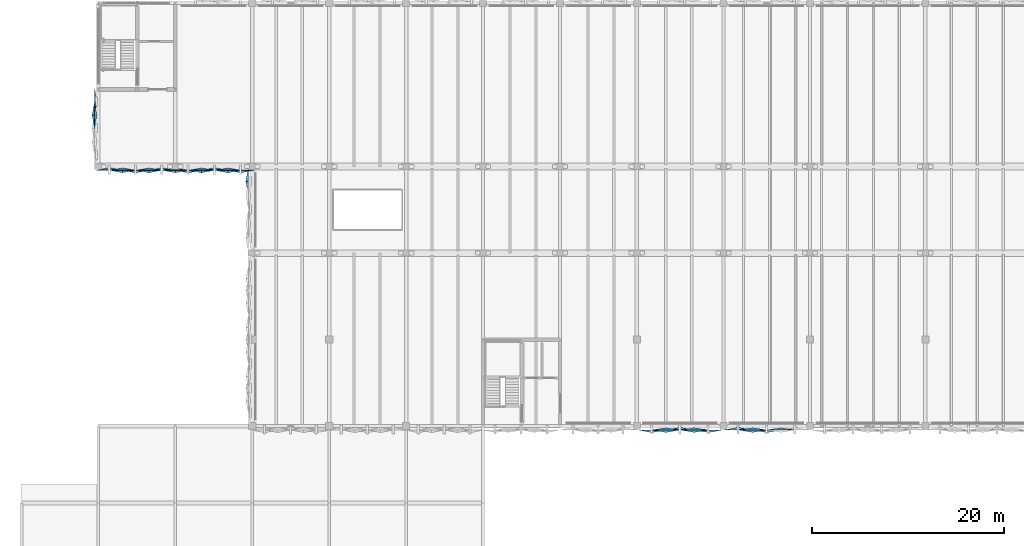
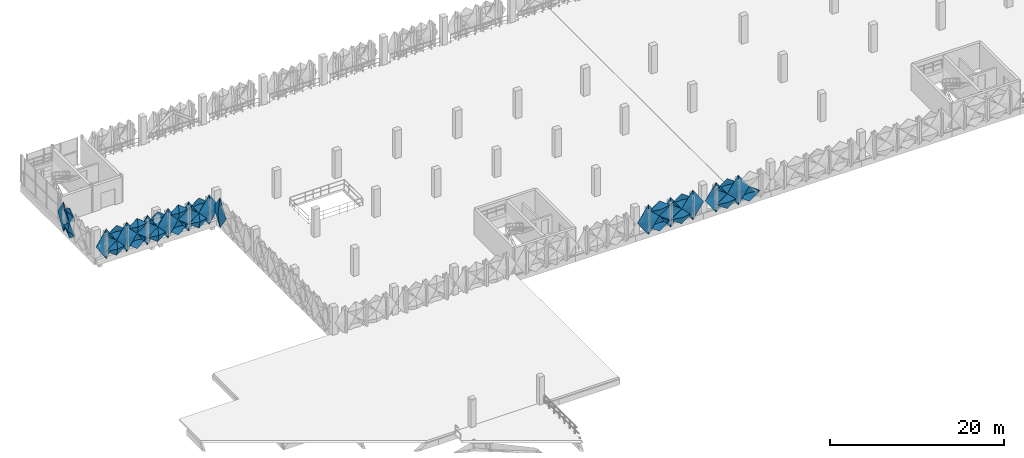
# One storey, part 54 of 76: 32 plates.
"""IFC4 building model written with IfcOpenShell, lengths in metres."""

from ifc_helpers import new_model, si_unit, derived_unit, direction, frame, origin, place, context, subcontext, project, spatial, polygons, material, layer, layer_set, type_object, element, save


model = new_model("IFC4")

# Units and contexts
model_context = context("Model", 3, precision=1e-05, world=origin(), true_north=direction((0.0, 1.0)))
body_context = subcontext(model_context, "Body", "Model", "MODEL_VIEW")
ifc_project = project(units=[si_unit("LENGTHUNIT", "METRE"), si_unit("AREAUNIT", "SQUARE_METRE"), si_unit("VOLUMEUNIT", "CUBIC_METRE"), si_unit("PLANEANGLEUNIT", "RADIAN"), si_unit("MASSUNIT", "GRAM", prefix="KILO"), si_unit("THERMODYNAMICTEMPERATUREUNIT", "KELVIN"), derived_unit("THERMALTRANSMITTANCEUNIT", [(si_unit("POWERUNIT", "WATT"), 1), (si_unit("AREAUNIT", "SQUARE_METRE"), -1), (si_unit("THERMODYNAMICTEMPERATUREUNIT", "KELVIN"), -1)])], contexts=[model_context])

# Site, building, storey
site_placement = place(None, origin())
site = spatial("IfcSite", under=ifc_project, at=site_placement, CompositionType="ELEMENT")
building_placement = place(site_placement, origin())
building = spatial("IfcBuilding", under=site, at=building_placement, Name="Haiyu Intermodal Mobility Hub", CompositionType="ELEMENT")
storey_placement = place(building_placement, frame((0.0, 0.0, 17.300048828125)))
storey = spatial("IfcBuildingStorey", under=building, at=storey_placement, Name="L04", CompositionType="ELEMENT", Elevation=17.300048828125)

# Plates
ifc_material = material(Name="Anodised aluminium 6063-T6", Category="aluminium")
ifc_layer_1 = layer(ifc_material, 0.01806640625)
ifc_layer_set_1 = layer_set([ifc_layer_1], Name="Anodised aluminium 6063-T6")
plate_type_1 = type_object("IfcPlateType", Name="PLT-FC01", PredefinedType="USERDEFINED", material=ifc_layer_set_1)
plate_1_placement = place(storey_placement, origin())
element("IfcPlate", 1, at=plate_1_placement, inside=storey, type_object=plate_type_1, Name="PLT-PYR-0637", ObjectType="FACADE CASSETTE", PredefinedType="USERDEFINED", context=body_context, shape_type="Tessellation", body=[
    polygons([(37.60009765625, 129.447021484375, -0.510009765625), (37.60009765625, 127.992919921875, 1.599853515625), (37.60009765625, 129.447021484375, 3.7099609375), (37.60009765625, 130.89990234375, 1.599853515625), (37.320068359375, 129.447021484375, 1.599853515625), (37.6220703125, 129.447021484375, -0.510009765625), (37.6220703125, 127.992919921875, 1.599853515625), (37.6220703125, 129.447021484375, 3.7099609375), (37.6220703125, 130.89990234375, 1.599853515625), (37.342041015625, 129.447021484375, 1.599853515625)], [[[1, 2, 5]], [[2, 3, 5]], [[3, 4, 5]], [[4, 1, 5]], [[7, 6, 10]], [[8, 7, 10]], [[9, 8, 10]], [[6, 9, 10]], [[1, 6, 7, 2]], [[2, 7, 8, 3]], [[3, 8, 9, 4]], [[4, 9, 6, 1]]], closed=True),
])
plate_2_placement = place(storey_placement, origin())
element("IfcPlate", 2, at=plate_2_placement, inside=storey, type_object=plate_type_1, Name="PLT-PYR-0803", ObjectType="FACADE CASSETTE", PredefinedType="USERDEFINED", context=body_context, shape_type="Tessellation", body=[
    polygons([(79.552978515625, 103.60009765625, -0.510009765625), (81.007080078125, 103.60009765625, 1.599853515625), (79.552978515625, 103.60009765625, 3.7099609375), (78.10009765625, 103.60009765625, 1.599853515625), (79.552978515625, 103.320068359375, 1.599853515625), (79.552978515625, 103.6220703125, -0.510009765625), (81.007080078125, 103.6220703125, 1.599853515625), (79.552978515625, 103.6220703125, 3.7099609375), (78.10009765625, 103.6220703125, 1.599853515625), (79.552978515625, 103.342041015625, 1.599853515625)], [[[1, 2, 5]], [[2, 3, 5]], [[3, 4, 5]], [[4, 1, 5]], [[7, 6, 10]], [[8, 7, 10]], [[9, 8, 10]], [[6, 9, 10]], [[1, 6, 7, 2]], [[2, 7, 8, 3]], [[3, 8, 9, 4]], [[4, 9, 6, 1]]], closed=True),
])
plate_3_placement = place(storey_placement, origin())
element("IfcPlate", 3, at=plate_3_placement, inside=storey, type_object=plate_type_1, Name="PLT-PYR-0807", ObjectType="FACADE CASSETTE", PredefinedType="USERDEFINED", context=body_context, shape_type="Tessellation", body=[
    polygons([(83.972900390625, 103.60009765625, -0.52001953125), (85.427001953125, 103.60009765625, 0.530029296875), (83.972900390625, 103.60009765625, 1.579833984375), (82.52001953125, 103.60009765625, 0.530029296875), (83.972900390625, 103.340087890625, 0.530029296875), (83.972900390625, 103.6220703125, -0.52001953125), (85.427001953125, 103.6220703125, 0.530029296875), (83.972900390625, 103.6220703125, 1.579833984375), (82.52001953125, 103.6220703125, 0.530029296875), (83.972900390625, 103.362060546875, 0.530029296875)], [[[1, 2, 5]], [[2, 3, 5]], [[3, 4, 5]], [[4, 1, 5]], [[7, 6, 10]], [[8, 7, 10]], [[9, 8, 10]], [[6, 9, 10]], [[1, 6, 7, 2]], [[2, 7, 8, 3]], [[3, 8, 9, 4]], [[4, 9, 6, 1]]], closed=True),
])
plate_4_placement = place(storey_placement, origin())
element("IfcPlate", 4, at=plate_4_placement, inside=storey, type_object=plate_type_1, Name="PLT-PYR-0832", ObjectType="FACADE CASSETTE", PredefinedType="USERDEFINED", context=body_context, shape_type="Tessellation", body=[
    polygons([(90.027099609375, 103.60009765625, -0.52001953125), (91.47998046875, 103.60009765625, 0.530029296875), (90.027099609375, 103.60009765625, 1.579833984375), (88.572998046875, 103.60009765625, 0.530029296875), (90.027099609375, 103.340087890625, 0.530029296875), (90.027099609375, 103.6220703125, -0.52001953125), (91.47998046875, 103.6220703125, 0.530029296875), (90.027099609375, 103.6220703125, 1.579833984375), (88.572998046875, 103.6220703125, 0.530029296875), (90.027099609375, 103.362060546875, 0.530029296875)], [[[1, 2, 5]], [[2, 3, 5]], [[3, 4, 5]], [[4, 1, 5]], [[7, 6, 10]], [[8, 7, 10]], [[9, 8, 10]], [[6, 9, 10]], [[1, 6, 7, 2]], [[2, 7, 8, 3]], [[3, 8, 9, 4]], [[4, 9, 6, 1]]], closed=True),
])
plate_5_placement = place(storey_placement, origin())
element("IfcPlate", 5, at=plate_5_placement, inside=storey, type_object=plate_type_1, Name="PLT-PYR-2310", ObjectType="FACADE CASSETTE", PredefinedType="USERDEFINED", context=body_context, shape_type="Tessellation", body=[
    polygons([(21.60009765625, 136.3330078125, -0.52001953125), (21.60009765625, 134.969970703125, 0.530029296875), (21.60009765625, 136.3330078125, 1.579833984375), (21.60009765625, 137.697021484375, 0.530029296875), (21.340087890625, 136.3330078125, 0.530029296875), (21.6220703125, 136.3330078125, -0.52001953125), (21.6220703125, 134.969970703125, 0.530029296875), (21.6220703125, 136.3330078125, 1.579833984375), (21.6220703125, 137.697021484375, 0.530029296875), (21.362060546875, 136.3330078125, 0.530029296875)], [[[1, 2, 5]], [[2, 3, 5]], [[3, 4, 5]], [[4, 1, 5]], [[7, 6, 10]], [[8, 7, 10]], [[9, 8, 10]], [[6, 9, 10]], [[1, 6, 7, 2]], [[2, 7, 8, 3]], [[3, 8, 9, 4]], [[4, 9, 6, 1]]], closed=True),
])
plate_6_placement = place(storey_placement, origin())
element("IfcPlate", 6, at=plate_6_placement, inside=storey, type_object=plate_type_1, Name="PLT-PYR-2388", ObjectType="FACADE CASSETTE", PredefinedType="USERDEFINED", context=body_context, shape_type="Tessellation", body=[
    polygons([(24.532958984375, 130.60009765625, -0.52001953125), (25.8798828125, 130.60009765625, 0.530029296875), (24.532958984375, 130.60009765625, 1.579833984375), (23.18701171875, 130.60009765625, 0.530029296875), (24.532958984375, 130.340087890625, 0.530029296875), (24.532958984375, 130.6220703125, -0.52001953125), (25.8798828125, 130.6220703125, 0.530029296875), (24.532958984375, 130.6220703125, 1.579833984375), (23.18701171875, 130.6220703125, 0.530029296875), (24.532958984375, 130.362060546875, 0.530029296875)], [[[1, 2, 5]], [[2, 3, 5]], [[3, 4, 5]], [[4, 1, 5]], [[7, 6, 10]], [[8, 7, 10]], [[9, 8, 10]], [[6, 9, 10]], [[1, 6, 7, 2]], [[2, 7, 8, 3]], [[3, 8, 9, 4]], [[4, 9, 6, 1]]], closed=True),
])
plate_7_placement = place(storey_placement, origin())
element("IfcPlate", 7, at=plate_7_placement, inside=storey, type_object=plate_type_1, Name="PLT-PYR-2394", ObjectType="FACADE CASSETTE", PredefinedType="USERDEFINED", context=body_context, shape_type="Tessellation", body=[
    polygons([(30.0, 130.60009765625, -0.52001953125), (31.346923828125, 130.60009765625, 0.530029296875), (30.0, 130.60009765625, 1.579833984375), (28.653076171875, 130.60009765625, 0.530029296875), (30.0, 130.340087890625, 0.530029296875), (30.0, 130.6220703125, -0.52001953125), (31.346923828125, 130.6220703125, 0.530029296875), (30.0, 130.6220703125, 1.579833984375), (28.653076171875, 130.6220703125, 0.530029296875), (30.0, 130.362060546875, 0.530029296875)], [[[1, 2, 5]], [[2, 3, 5]], [[3, 4, 5]], [[4, 1, 5]], [[7, 6, 10]], [[8, 7, 10]], [[9, 8, 10]], [[6, 9, 10]], [[1, 6, 7, 2]], [[2, 7, 8, 3]], [[3, 8, 9, 4]], [[4, 9, 6, 1]]], closed=True),
])
plate_8_placement = place(storey_placement, origin())
element("IfcPlate", 8, at=plate_8_placement, inside=storey, type_object=plate_type_1, Name="PLT-PYR-2400", ObjectType="FACADE CASSETTE", PredefinedType="USERDEFINED", context=body_context, shape_type="Tessellation", body=[
    polygons([(35.467041015625, 130.60009765625, -0.52001953125), (36.81298828125, 130.60009765625, 0.530029296875), (35.467041015625, 130.60009765625, 1.579833984375), (34.1201171875, 130.60009765625, 0.530029296875), (35.467041015625, 130.340087890625, 0.530029296875), (35.467041015625, 130.6220703125, -0.52001953125), (36.81298828125, 130.6220703125, 0.530029296875), (35.467041015625, 130.6220703125, 1.579833984375), (34.1201171875, 130.6220703125, 0.530029296875), (35.467041015625, 130.362060546875, 0.530029296875)], [[[1, 2, 5]], [[2, 3, 5]], [[3, 4, 5]], [[4, 1, 5]], [[7, 6, 10]], [[8, 7, 10]], [[9, 8, 10]], [[6, 9, 10]], [[1, 6, 7, 2]], [[2, 7, 8, 3]], [[3, 8, 9, 4]], [[4, 9, 6, 1]]], closed=True),
])
ifc_layer_2 = layer(ifc_material, 0.02001953125)
ifc_layer_set_2 = layer_set([ifc_layer_2], Name="Anodised aluminium 6063-T6")
plate_type_2 = type_object("IfcPlateType", Name="PLT-FC02", PredefinedType="USERDEFINED", material=ifc_layer_set_2)
plate_9_placement = place(storey_placement, origin())
element("IfcPlate", 9, at=plate_9_placement, inside=storey, type_object=plate_type_2, Name="PLT-PYR-0804", ObjectType="FACADE CASSETTE", PredefinedType="USERDEFINED", context=body_context, shape_type="Tessellation", body=[
    polygons([(81.027099609375, 103.60009765625, -0.52001953125), (82.47998046875, 103.60009765625, 0.530029296875), (81.027099609375, 103.60009765625, 1.579833984375), (79.572998046875, 103.60009765625, 0.530029296875), (81.027099609375, 103.820068359375, 0.530029296875), (81.027099609375, 103.6220703125, -0.52001953125), (82.47998046875, 103.6220703125, 0.530029296875), (81.027099609375, 103.6220703125, 1.579833984375), (79.572998046875, 103.6220703125, 0.530029296875), (81.027099609375, 103.842041015625, 0.530029296875)], [[[1, 2, 5]], [[2, 3, 5]], [[3, 4, 5]], [[4, 1, 5]], [[7, 6, 10]], [[8, 7, 10]], [[9, 8, 10]], [[6, 9, 10]], [[1, 6, 7, 2]], [[2, 7, 8, 3]], [[3, 8, 9, 4]], [[4, 9, 6, 1]]], closed=True),
])
plate_10_placement = place(storey_placement, origin())
element("IfcPlate", 10, at=plate_10_placement, inside=storey, type_object=plate_type_2, Name="PLT-PYR-0831", ObjectType="FACADE CASSETTE", PredefinedType="USERDEFINED", context=body_context, shape_type="Tessellation", body=[
    polygons([(88.552978515625, 103.60009765625, -0.510009765625), (90.007080078125, 103.60009765625, 1.599853515625), (88.552978515625, 103.60009765625, 3.7099609375), (87.10009765625, 103.60009765625, 1.599853515625), (88.552978515625, 103.860107421875, 1.599853515625), (88.552978515625, 103.6220703125, -0.510009765625), (90.007080078125, 103.6220703125, 1.599853515625), (88.552978515625, 103.6220703125, 3.7099609375), (87.10009765625, 103.6220703125, 1.599853515625), (88.552978515625, 103.882080078125, 1.599853515625)], [[[1, 2, 5]], [[2, 3, 5]], [[3, 4, 5]], [[4, 1, 5]], [[7, 6, 10]], [[8, 7, 10]], [[9, 8, 10]], [[6, 9, 10]], [[1, 6, 7, 2]], [[2, 7, 8, 3]], [[3, 8, 9, 4]], [[4, 9, 6, 1]]], closed=True),
])
plate_11_placement = place(storey_placement, origin())
element("IfcPlate", 11, at=plate_11_placement, inside=storey, type_object=plate_type_2, Name="PLT-PYR-0835", ObjectType="FACADE CASSETTE", PredefinedType="USERDEFINED", context=body_context, shape_type="Tessellation", body=[
    polygons([(92.972900390625, 103.60009765625, -0.52001953125), (94.427001953125, 103.60009765625, 0.530029296875), (92.972900390625, 103.60009765625, 1.579833984375), (91.52001953125, 103.60009765625, 0.530029296875), (92.972900390625, 103.820068359375, 0.530029296875), (92.972900390625, 103.6220703125, -0.52001953125), (94.427001953125, 103.6220703125, 0.530029296875), (92.972900390625, 103.6220703125, 1.579833984375), (91.52001953125, 103.6220703125, 0.530029296875), (92.972900390625, 103.842041015625, 0.530029296875)], [[[1, 2, 5]], [[2, 3, 5]], [[3, 4, 5]], [[4, 1, 5]], [[7, 6, 10]], [[8, 7, 10]], [[9, 8, 10]], [[6, 9, 10]], [[1, 6, 7, 2]], [[2, 7, 8, 3]], [[3, 8, 9, 4]], [[4, 9, 6, 1]]], closed=True),
])
plate_12_placement = place(storey_placement, origin())
element("IfcPlate", 12, at=plate_12_placement, inside=storey, type_object=plate_type_2, Name="PLT-PYR-2309", ObjectType="FACADE CASSETTE", PredefinedType="USERDEFINED", context=body_context, shape_type="Tessellation", body=[
    polygons([(21.60009765625, 137.717041015625, -0.510009765625), (21.60009765625, 136.35302734375, 1.599853515625), (21.60009765625, 137.717041015625, 3.7099609375), (21.60009765625, 139.080078125, 1.599853515625), (21.860107421875, 137.717041015625, 1.599853515625), (21.6220703125, 137.717041015625, -0.510009765625), (21.6220703125, 136.35302734375, 1.599853515625), (21.6220703125, 137.717041015625, 3.7099609375), (21.6220703125, 139.080078125, 1.599853515625), (21.882080078125, 137.717041015625, 1.599853515625)], [[[1, 2, 5]], [[2, 3, 5]], [[3, 4, 5]], [[4, 1, 5]], [[7, 6, 10]], [[8, 7, 10]], [[9, 8, 10]], [[6, 9, 10]], [[1, 6, 7, 2]], [[2, 7, 8, 3]], [[3, 8, 9, 4]], [[4, 9, 6, 1]]], closed=True),
])
plate_13_placement = place(storey_placement, origin())
element("IfcPlate", 13, at=plate_13_placement, inside=storey, type_object=plate_type_2, Name="PLT-PYR-2387", ObjectType="FACADE CASSETTE", PredefinedType="USERDEFINED", context=body_context, shape_type="Tessellation", body=[
    polygons([(23.1669921875, 130.60009765625, -0.510009765625), (24.512939453125, 130.60009765625, 1.599853515625), (23.1669921875, 130.60009765625, 3.7099609375), (21.820068359375, 130.60009765625, 1.599853515625), (23.1669921875, 130.860107421875, 1.599853515625), (23.1669921875, 130.6220703125, -0.510009765625), (24.512939453125, 130.6220703125, 1.599853515625), (23.1669921875, 130.6220703125, 3.7099609375), (21.820068359375, 130.6220703125, 1.599853515625), (23.1669921875, 130.882080078125, 1.599853515625)], [[[1, 2, 5]], [[2, 3, 5]], [[3, 4, 5]], [[4, 1, 5]], [[7, 6, 10]], [[8, 7, 10]], [[9, 8, 10]], [[6, 9, 10]], [[1, 6, 7, 2]], [[2, 7, 8, 3]], [[3, 8, 9, 4]], [[4, 9, 6, 1]]], closed=True),
])
plate_14_placement = place(storey_placement, origin())
element("IfcPlate", 14, at=plate_14_placement, inside=storey, type_object=plate_type_2, Name="PLT-PYR-2391", ObjectType="FACADE CASSETTE", PredefinedType="USERDEFINED", context=body_context, shape_type="Tessellation", body=[
    polygons([(27.26708984375, 130.60009765625, -0.52001953125), (28.613037109375, 130.60009765625, 0.530029296875), (27.26708984375, 130.60009765625, 1.579833984375), (25.919921875, 130.60009765625, 0.530029296875), (27.26708984375, 130.820068359375, 0.530029296875), (27.26708984375, 130.6220703125, -0.52001953125), (28.613037109375, 130.6220703125, 0.530029296875), (27.26708984375, 130.6220703125, 1.579833984375), (25.919921875, 130.6220703125, 0.530029296875), (27.26708984375, 130.842041015625, 0.530029296875)], [[[1, 2, 5]], [[2, 3, 5]], [[3, 4, 5]], [[4, 1, 5]], [[7, 6, 10]], [[8, 7, 10]], [[9, 8, 10]], [[6, 9, 10]], [[1, 6, 7, 2]], [[2, 7, 8, 3]], [[3, 8, 9, 4]], [[4, 9, 6, 1]]], closed=True),
])
plate_15_placement = place(storey_placement, origin())
element("IfcPlate", 15, at=plate_15_placement, inside=storey, type_object=plate_type_2, Name="PLT-PYR-2397", ObjectType="FACADE CASSETTE", PredefinedType="USERDEFINED", context=body_context, shape_type="Tessellation", body=[
    polygons([(32.73291015625, 130.60009765625, -0.52001953125), (34.080078125, 130.60009765625, 0.530029296875), (32.73291015625, 130.60009765625, 1.579833984375), (31.386962890625, 130.60009765625, 0.530029296875), (32.73291015625, 130.820068359375, 0.530029296875), (32.73291015625, 130.6220703125, -0.52001953125), (34.080078125, 130.6220703125, 0.530029296875), (32.73291015625, 130.6220703125, 1.579833984375), (31.386962890625, 130.6220703125, 0.530029296875), (32.73291015625, 130.842041015625, 0.530029296875)], [[[1, 2, 5]], [[2, 3, 5]], [[3, 4, 5]], [[4, 1, 5]], [[7, 6, 10]], [[8, 7, 10]], [[9, 8, 10]], [[6, 9, 10]], [[1, 6, 7, 2]], [[2, 7, 8, 3]], [[3, 8, 9, 4]], [[4, 9, 6, 1]]], closed=True),
])
plate_16_placement = place(storey_placement, origin())
element("IfcPlate", 16, at=plate_16_placement, inside=storey, type_object=plate_type_2, Name="PLT-PYR-2399", ObjectType="FACADE CASSETTE", PredefinedType="USERDEFINED", context=body_context, shape_type="Tessellation", body=[
    polygons([(34.10009765625, 130.60009765625, -0.510009765625), (35.447021484375, 130.60009765625, 1.599853515625), (34.10009765625, 130.60009765625, 3.7099609375), (32.7529296875, 130.60009765625, 1.599853515625), (34.10009765625, 130.860107421875, 1.599853515625), (34.10009765625, 130.6220703125, -0.510009765625), (35.447021484375, 130.6220703125, 1.599853515625), (34.10009765625, 130.6220703125, 3.7099609375), (32.7529296875, 130.6220703125, 1.599853515625), (34.10009765625, 130.882080078125, 1.599853515625)], [[[1, 2, 5]], [[2, 3, 5]], [[3, 4, 5]], [[4, 1, 5]], [[7, 6, 10]], [[8, 7, 10]], [[9, 8, 10]], [[6, 9, 10]], [[1, 6, 7, 2]], [[2, 7, 8, 3]], [[3, 8, 9, 4]], [[4, 9, 6, 1]]], closed=True),
])
ifc_layer_3 = layer(ifc_material, 0.01806640625)
ifc_layer_set_3 = layer_set([ifc_layer_3], Name="Anodised aluminium 6063-T6")
plate_type_3 = type_object("IfcPlateType", Name="PLT-FC03", PredefinedType="USERDEFINED", material=ifc_layer_set_3)
plate_17_placement = place(storey_placement, origin())
element("IfcPlate", 17, at=plate_17_placement, inside=storey, type_object=plate_type_3, Name="PLT-PYR-0805", ObjectType="FACADE CASSETTE", PredefinedType="USERDEFINED", context=body_context, shape_type="Tessellation", body=[
    polygons([(81.027099609375, 103.60009765625, 1.619873046875), (82.47998046875, 103.60009765625, 2.669921875), (81.027099609375, 103.60009765625, 3.719970703125), (79.572998046875, 103.60009765625, 2.669921875), (81.027099609375, 103.340087890625, 2.669921875), (81.027099609375, 103.6220703125, 1.619873046875), (82.47998046875, 103.6220703125, 2.669921875), (81.027099609375, 103.6220703125, 3.719970703125), (79.572998046875, 103.6220703125, 2.669921875), (81.027099609375, 103.362060546875, 2.669921875)], [[[1, 2, 5]], [[2, 3, 5]], [[3, 4, 5]], [[4, 1, 5]], [[7, 6, 10]], [[8, 7, 10]], [[9, 8, 10]], [[6, 9, 10]], [[1, 6, 7, 2]], [[2, 7, 8, 3]], [[3, 8, 9, 4]], [[4, 9, 6, 1]]], closed=True),
])
plate_18_placement = place(storey_placement, origin())
element("IfcPlate", 18, at=plate_18_placement, inside=storey, type_object=plate_type_3, Name="PLT-PYR-0834", ObjectType="FACADE CASSETTE", PredefinedType="USERDEFINED", context=body_context, shape_type="Tessellation", body=[
    polygons([(91.5, 103.60009765625, -0.510009765625), (92.952880859375, 103.60009765625, 1.599853515625), (91.5, 103.60009765625, 3.7099609375), (90.047119140625, 103.60009765625, 1.599853515625), (91.5, 103.320068359375, 1.599853515625), (91.5, 103.6220703125, -0.510009765625), (92.952880859375, 103.6220703125, 1.599853515625), (91.5, 103.6220703125, 3.7099609375), (90.047119140625, 103.6220703125, 1.599853515625), (91.5, 103.342041015625, 1.599853515625)], [[[1, 2, 5]], [[2, 3, 5]], [[3, 4, 5]], [[4, 1, 5]], [[7, 6, 10]], [[8, 7, 10]], [[9, 8, 10]], [[6, 9, 10]], [[1, 6, 7, 2]], [[2, 7, 8, 3]], [[3, 8, 9, 4]], [[4, 9, 6, 1]]], closed=True),
])
plate_19_placement = place(storey_placement, origin())
element("IfcPlate", 19, at=plate_19_placement, inside=storey, type_object=plate_type_3, Name="PLT-PYR-2390", ObjectType="FACADE CASSETTE", PredefinedType="USERDEFINED", context=body_context, shape_type="Tessellation", body=[
    polygons([(25.89990234375, 130.60009765625, -0.510009765625), (27.2470703125, 130.60009765625, 1.599853515625), (25.89990234375, 130.60009765625, 3.7099609375), (24.552978515625, 130.60009765625, 1.599853515625), (25.89990234375, 130.320068359375, 1.599853515625), (25.89990234375, 130.6220703125, -0.510009765625), (27.2470703125, 130.6220703125, 1.599853515625), (25.89990234375, 130.6220703125, 3.7099609375), (24.552978515625, 130.6220703125, 1.599853515625), (25.89990234375, 130.342041015625, 1.599853515625)], [[[1, 2, 5]], [[2, 3, 5]], [[3, 4, 5]], [[4, 1, 5]], [[7, 6, 10]], [[8, 7, 10]], [[9, 8, 10]], [[6, 9, 10]], [[1, 6, 7, 2]], [[2, 7, 8, 3]], [[3, 8, 9, 4]], [[4, 9, 6, 1]]], closed=True),
])
plate_20_placement = place(storey_placement, origin())
element("IfcPlate", 20, at=plate_20_placement, inside=storey, type_object=plate_type_3, Name="PLT-PYR-2392", ObjectType="FACADE CASSETTE", PredefinedType="USERDEFINED", context=body_context, shape_type="Tessellation", body=[
    polygons([(27.26708984375, 130.60009765625, 1.619873046875), (28.613037109375, 130.60009765625, 2.669921875), (27.26708984375, 130.60009765625, 3.719970703125), (25.919921875, 130.60009765625, 2.669921875), (27.26708984375, 130.340087890625, 2.669921875), (27.26708984375, 130.6220703125, 1.619873046875), (28.613037109375, 130.6220703125, 2.669921875), (27.26708984375, 130.6220703125, 3.719970703125), (25.919921875, 130.6220703125, 2.669921875), (27.26708984375, 130.362060546875, 2.669921875)], [[[1, 2, 5]], [[2, 3, 5]], [[3, 4, 5]], [[4, 1, 5]], [[7, 6, 10]], [[8, 7, 10]], [[9, 8, 10]], [[6, 9, 10]], [[1, 6, 7, 2]], [[2, 7, 8, 3]], [[3, 8, 9, 4]], [[4, 9, 6, 1]]], closed=True),
])
plate_21_placement = place(storey_placement, origin())
element("IfcPlate", 21, at=plate_21_placement, inside=storey, type_object=plate_type_3, Name="PLT-PYR-2398", ObjectType="FACADE CASSETTE", PredefinedType="USERDEFINED", context=body_context, shape_type="Tessellation", body=[
    polygons([(32.73291015625, 130.60009765625, 1.619873046875), (34.080078125, 130.60009765625, 2.669921875), (32.73291015625, 130.60009765625, 3.719970703125), (31.386962890625, 130.60009765625, 2.669921875), (32.73291015625, 130.340087890625, 2.669921875), (32.73291015625, 130.6220703125, 1.619873046875), (34.080078125, 130.6220703125, 2.669921875), (32.73291015625, 130.6220703125, 3.719970703125), (31.386962890625, 130.6220703125, 2.669921875), (32.73291015625, 130.362060546875, 2.669921875)], [[[1, 2, 5]], [[2, 3, 5]], [[3, 4, 5]], [[4, 1, 5]], [[7, 6, 10]], [[8, 7, 10]], [[9, 8, 10]], [[6, 9, 10]], [[1, 6, 7, 2]], [[2, 7, 8, 3]], [[3, 8, 9, 4]], [[4, 9, 6, 1]]], closed=True),
])
plate_22_placement = place(storey_placement, origin())
element("IfcPlate", 22, at=plate_22_placement, inside=storey, type_object=plate_type_3, Name="PLT-PYR-2402", ObjectType="FACADE CASSETTE", PredefinedType="USERDEFINED", context=body_context, shape_type="Tessellation", body=[
    polygons([(36.8330078125, 130.60009765625, -0.510009765625), (38.179931640625, 130.60009765625, 1.599853515625), (36.8330078125, 130.60009765625, 3.7099609375), (35.487060546875, 130.60009765625, 1.599853515625), (36.8330078125, 130.320068359375, 1.599853515625), (36.8330078125, 130.6220703125, -0.510009765625), (38.179931640625, 130.6220703125, 1.599853515625), (36.8330078125, 130.6220703125, 3.7099609375), (35.487060546875, 130.6220703125, 1.599853515625), (36.8330078125, 130.342041015625, 1.599853515625)], [[[1, 2, 5]], [[2, 3, 5]], [[3, 4, 5]], [[4, 1, 5]], [[7, 6, 10]], [[8, 7, 10]], [[9, 8, 10]], [[6, 9, 10]], [[1, 6, 7, 2]], [[2, 7, 8, 3]], [[3, 8, 9, 4]], [[4, 9, 6, 1]]], closed=True),
])
ifc_layer_4 = layer(ifc_material, 0.02001953125)
ifc_layer_set_4 = layer_set([ifc_layer_4], Name="Anodised aluminium 6063-T6")
plate_type_4 = type_object("IfcPlateType", Name="PLT-FC04", PredefinedType="USERDEFINED", material=ifc_layer_set_4)
plate_23_placement = place(storey_placement, origin())
element("IfcPlate", 23, at=plate_23_placement, inside=storey, type_object=plate_type_4, Name="PLT-PYR-0806", ObjectType="FACADE CASSETTE", PredefinedType="USERDEFINED", context=body_context, shape_type="Tessellation", body=[
    polygons([(82.5, 103.60009765625, -0.510009765625), (83.952880859375, 103.60009765625, 1.599853515625), (82.5, 103.60009765625, 3.7099609375), (81.047119140625, 103.60009765625, 1.599853515625), (82.5, 103.860107421875, 1.599853515625), (82.5, 103.6220703125, -0.510009765625), (83.952880859375, 103.6220703125, 1.599853515625), (82.5, 103.6220703125, 3.7099609375), (81.047119140625, 103.6220703125, 1.599853515625), (82.5, 103.882080078125, 1.599853515625)], [[[1, 2, 5]], [[2, 3, 5]], [[3, 4, 5]], [[4, 1, 5]], [[7, 6, 10]], [[8, 7, 10]], [[9, 8, 10]], [[6, 9, 10]], [[1, 6, 7, 2]], [[2, 7, 8, 3]], [[3, 8, 9, 4]], [[4, 9, 6, 1]]], closed=True),
])
plate_24_placement = place(storey_placement, origin())
element("IfcPlate", 24, at=plate_24_placement, inside=storey, type_object=plate_type_4, Name="PLT-PYR-0808", ObjectType="FACADE CASSETTE", PredefinedType="USERDEFINED", context=body_context, shape_type="Tessellation", body=[
    polygons([(83.972900390625, 103.60009765625, 1.619873046875), (85.427001953125, 103.60009765625, 2.669921875), (83.972900390625, 103.60009765625, 3.719970703125), (82.52001953125, 103.60009765625, 2.669921875), (83.972900390625, 103.820068359375, 2.669921875), (83.972900390625, 103.6220703125, 1.619873046875), (85.427001953125, 103.6220703125, 2.669921875), (83.972900390625, 103.6220703125, 3.719970703125), (82.52001953125, 103.6220703125, 2.669921875), (83.972900390625, 103.842041015625, 2.669921875)], [[[1, 2, 5]], [[2, 3, 5]], [[3, 4, 5]], [[4, 1, 5]], [[7, 6, 10]], [[8, 7, 10]], [[9, 8, 10]], [[6, 9, 10]], [[1, 6, 7, 2]], [[2, 7, 8, 3]], [[3, 8, 9, 4]], [[4, 9, 6, 1]]], closed=True),
])
plate_25_placement = place(storey_placement, origin())
element("IfcPlate", 25, at=plate_25_placement, inside=storey, type_object=plate_type_4, Name="PLT-PYR-0833", ObjectType="FACADE CASSETTE", PredefinedType="USERDEFINED", context=body_context, shape_type="Tessellation", body=[
    polygons([(90.027099609375, 103.60009765625, 1.619873046875), (91.47998046875, 103.60009765625, 2.669921875), (90.027099609375, 103.60009765625, 3.719970703125), (88.572998046875, 103.60009765625, 2.669921875), (90.027099609375, 103.820068359375, 2.669921875), (90.027099609375, 103.6220703125, 1.619873046875), (91.47998046875, 103.6220703125, 2.669921875), (90.027099609375, 103.6220703125, 3.719970703125), (88.572998046875, 103.6220703125, 2.669921875), (90.027099609375, 103.842041015625, 2.669921875)], [[[1, 2, 5]], [[2, 3, 5]], [[3, 4, 5]], [[4, 1, 5]], [[7, 6, 10]], [[8, 7, 10]], [[9, 8, 10]], [[6, 9, 10]], [[1, 6, 7, 2]], [[2, 7, 8, 3]], [[3, 8, 9, 4]], [[4, 9, 6, 1]]], closed=True),
])
plate_26_placement = place(storey_placement, origin())
element("IfcPlate", 26, at=plate_26_placement, inside=storey, type_object=plate_type_4, Name="PLT-PYR-2311", ObjectType="FACADE CASSETTE", PredefinedType="USERDEFINED", context=body_context, shape_type="Tessellation", body=[
    polygons([(21.60009765625, 136.3330078125, 1.619873046875), (21.60009765625, 134.969970703125, 2.669921875), (21.60009765625, 136.3330078125, 3.719970703125), (21.60009765625, 137.697021484375, 2.669921875), (21.820068359375, 136.3330078125, 2.669921875), (21.6220703125, 136.3330078125, 1.619873046875), (21.6220703125, 134.969970703125, 2.669921875), (21.6220703125, 136.3330078125, 3.719970703125), (21.6220703125, 137.697021484375, 2.669921875), (21.842041015625, 136.3330078125, 2.669921875)], [[[1, 2, 5]], [[2, 3, 5]], [[3, 4, 5]], [[4, 1, 5]], [[7, 6, 10]], [[8, 7, 10]], [[9, 8, 10]], [[6, 9, 10]], [[1, 6, 7, 2]], [[2, 7, 8, 3]], [[3, 8, 9, 4]], [[4, 9, 6, 1]]], closed=True),
])
plate_27_placement = place(storey_placement, origin())
element("IfcPlate", 27, at=plate_27_placement, inside=storey, type_object=plate_type_4, Name="PLT-PYR-2389", ObjectType="FACADE CASSETTE", PredefinedType="USERDEFINED", context=body_context, shape_type="Tessellation", body=[
    polygons([(24.532958984375, 130.60009765625, 1.619873046875), (25.8798828125, 130.60009765625, 2.669921875), (24.532958984375, 130.60009765625, 3.719970703125), (23.18701171875, 130.60009765625, 2.669921875), (24.532958984375, 130.820068359375, 2.669921875), (24.532958984375, 130.6220703125, 1.619873046875), (25.8798828125, 130.6220703125, 2.669921875), (24.532958984375, 130.6220703125, 3.719970703125), (23.18701171875, 130.6220703125, 2.669921875), (24.532958984375, 130.842041015625, 2.669921875)], [[[1, 2, 5]], [[2, 3, 5]], [[3, 4, 5]], [[4, 1, 5]], [[7, 6, 10]], [[8, 7, 10]], [[9, 8, 10]], [[6, 9, 10]], [[1, 6, 7, 2]], [[2, 7, 8, 3]], [[3, 8, 9, 4]], [[4, 9, 6, 1]]], closed=True),
])
plate_28_placement = place(storey_placement, origin())
element("IfcPlate", 28, at=plate_28_placement, inside=storey, type_object=plate_type_4, Name="PLT-PYR-2395", ObjectType="FACADE CASSETTE", PredefinedType="USERDEFINED", context=body_context, shape_type="Tessellation", body=[
    polygons([(30.0, 130.60009765625, 1.619873046875), (31.346923828125, 130.60009765625, 2.669921875), (30.0, 130.60009765625, 3.719970703125), (28.653076171875, 130.60009765625, 2.669921875), (30.0, 130.820068359375, 2.669921875), (30.0, 130.6220703125, 1.619873046875), (31.346923828125, 130.6220703125, 2.669921875), (30.0, 130.6220703125, 3.719970703125), (28.653076171875, 130.6220703125, 2.669921875), (30.0, 130.842041015625, 2.669921875)], [[[1, 2, 5]], [[2, 3, 5]], [[3, 4, 5]], [[4, 1, 5]], [[7, 6, 10]], [[8, 7, 10]], [[9, 8, 10]], [[6, 9, 10]], [[1, 6, 7, 2]], [[2, 7, 8, 3]], [[3, 8, 9, 4]], [[4, 9, 6, 1]]], closed=True),
])
plate_29_placement = place(storey_placement, origin())
element("IfcPlate", 29, at=plate_29_placement, inside=storey, type_object=plate_type_4, Name="PLT-PYR-2401", ObjectType="FACADE CASSETTE", PredefinedType="USERDEFINED", context=body_context, shape_type="Tessellation", body=[
    polygons([(35.467041015625, 130.60009765625, 1.619873046875), (36.81298828125, 130.60009765625, 2.669921875), (35.467041015625, 130.60009765625, 3.719970703125), (34.1201171875, 130.60009765625, 2.669921875), (35.467041015625, 130.820068359375, 2.669921875), (35.467041015625, 130.6220703125, 1.619873046875), (36.81298828125, 130.6220703125, 2.669921875), (35.467041015625, 130.6220703125, 3.719970703125), (34.1201171875, 130.6220703125, 2.669921875), (35.467041015625, 130.842041015625, 2.669921875)], [[[1, 2, 5]], [[2, 3, 5]], [[3, 4, 5]], [[4, 1, 5]], [[7, 6, 10]], [[8, 7, 10]], [[9, 8, 10]], [[6, 9, 10]], [[1, 6, 7, 2]], [[2, 7, 8, 3]], [[3, 8, 9, 4]], [[4, 9, 6, 1]]], closed=True),
])
ifc_layer_5 = layer(ifc_material, 0.01806640625)
ifc_layer_set_5 = layer_set([ifc_layer_5], Name="Anodised aluminium 6063-T6")
plate_type_5 = type_object("IfcPlateType", Name="PLT-FC05", PredefinedType="USERDEFINED", material=ifc_layer_set_5)
plate_30_placement = place(storey_placement, origin())
element("IfcPlate", 30, at=plate_30_placement, inside=storey, type_object=plate_type_5, Name="PLT-PYR-0809", ObjectType="FACADE CASSETTE", PredefinedType="USERDEFINED", context=body_context, shape_type="Tessellation", body=[
    polygons([(85.447021484375, 103.60009765625, -0.510009765625), (86.89990234375, 103.60009765625, 1.599853515625), (85.447021484375, 103.60009765625, 3.7099609375), (83.992919921875, 103.60009765625, 1.599853515625), (85.447021484375, 103.320068359375, 1.599853515625), (85.447021484375, 103.6220703125, -0.510009765625), (86.89990234375, 103.6220703125, 1.599853515625), (85.447021484375, 103.6220703125, 3.7099609375), (83.992919921875, 103.6220703125, 1.599853515625), (85.447021484375, 103.342041015625, 1.599853515625)], [[[1, 2, 5]], [[2, 3, 5]], [[3, 4, 5]], [[4, 1, 5]], [[7, 6, 10]], [[8, 7, 10]], [[9, 8, 10]], [[6, 9, 10]], [[1, 6, 7, 2]], [[2, 7, 8, 3]], [[3, 8, 9, 4]], [[4, 9, 6, 1]]], closed=True),
])
ifc_layer_6 = layer(ifc_material, 0.02001953125)
ifc_layer_set_6 = layer_set([ifc_layer_6], Name="Anodised aluminium 6063-T6")
plate_type_6 = type_object("IfcPlateType", Name="PLT-FC06", PredefinedType="USERDEFINED", material=ifc_layer_set_6)
plate_31_placement = place(storey_placement, origin())
element("IfcPlate", 31, at=plate_31_placement, inside=storey, type_object=plate_type_6, Name="PLT-PYR-2393", ObjectType="FACADE CASSETTE", PredefinedType="USERDEFINED", context=body_context, shape_type="Tessellation", body=[
    polygons([(28.633056640625, 130.60009765625, -0.510009765625), (29.97998046875, 130.60009765625, 1.599853515625), (28.633056640625, 130.60009765625, 3.7099609375), (27.287109375, 130.60009765625, 1.599853515625), (28.633056640625, 130.860107421875, 1.599853515625), (28.633056640625, 130.6220703125, -0.510009765625), (29.97998046875, 130.6220703125, 1.599853515625), (28.633056640625, 130.6220703125, 3.7099609375), (27.287109375, 130.6220703125, 1.599853515625), (28.633056640625, 130.882080078125, 1.599853515625)], [[[1, 2, 5]], [[2, 3, 5]], [[3, 4, 5]], [[4, 1, 5]], [[7, 6, 10]], [[8, 7, 10]], [[9, 8, 10]], [[6, 9, 10]], [[1, 6, 7, 2]], [[2, 7, 8, 3]], [[3, 8, 9, 4]], [[4, 9, 6, 1]]], closed=True),
])
ifc_layer_7 = layer(ifc_material, 0.02197265625)
ifc_layer_set_7 = layer_set([ifc_layer_7], Name="Anodised aluminium 6063-T6")
plate_type_7 = type_object("IfcPlateType", Name="PLT-FC07", PredefinedType="USERDEFINED", material=ifc_layer_set_7)
plate_32_placement = place(storey_placement, origin())
element("IfcPlate", 32, at=plate_32_placement, inside=storey, type_object=plate_type_7, Name="PLT-PYR-2396", ObjectType="FACADE CASSETTE", PredefinedType="USERDEFINED", context=body_context, shape_type="Tessellation", body=[
    polygons([(31.366943359375, 130.60009765625, -0.510009765625), (32.712890625, 130.60009765625, 1.599853515625), (31.366943359375, 130.60009765625, 3.7099609375), (30.02001953125, 130.60009765625, 1.599853515625), (31.366943359375, 130.320068359375, 1.599853515625), (31.366943359375, 130.6220703125, -0.510009765625), (32.712890625, 130.6220703125, 1.599853515625), (31.366943359375, 130.6220703125, 3.7099609375), (30.02001953125, 130.6220703125, 1.599853515625), (31.366943359375, 130.342041015625, 1.599853515625)], [[[1, 2, 5]], [[2, 3, 5]], [[3, 4, 5]], [[4, 1, 5]], [[7, 6, 10]], [[8, 7, 10]], [[9, 8, 10]], [[6, 9, 10]], [[1, 6, 7, 2]], [[2, 7, 8, 3]], [[3, 8, 9, 4]], [[4, 9, 6, 1]]], closed=True),
])

save(model, "model.ifc")
